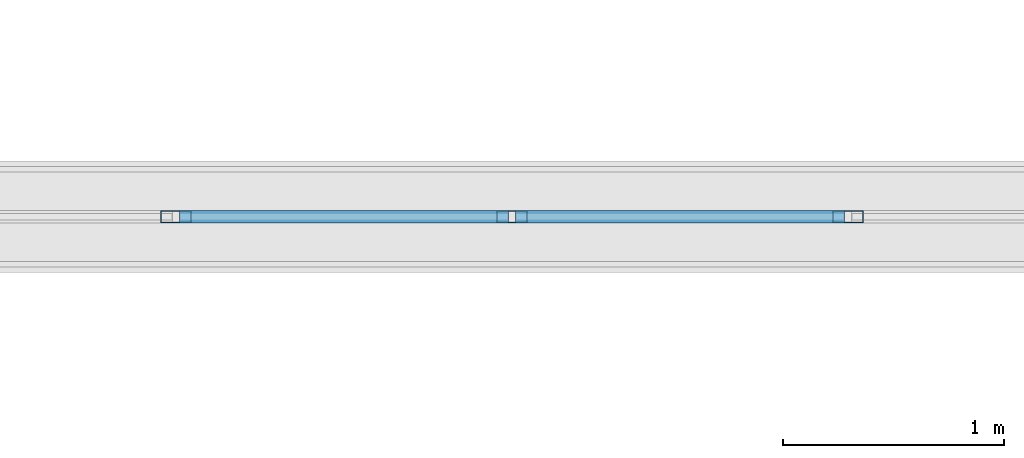
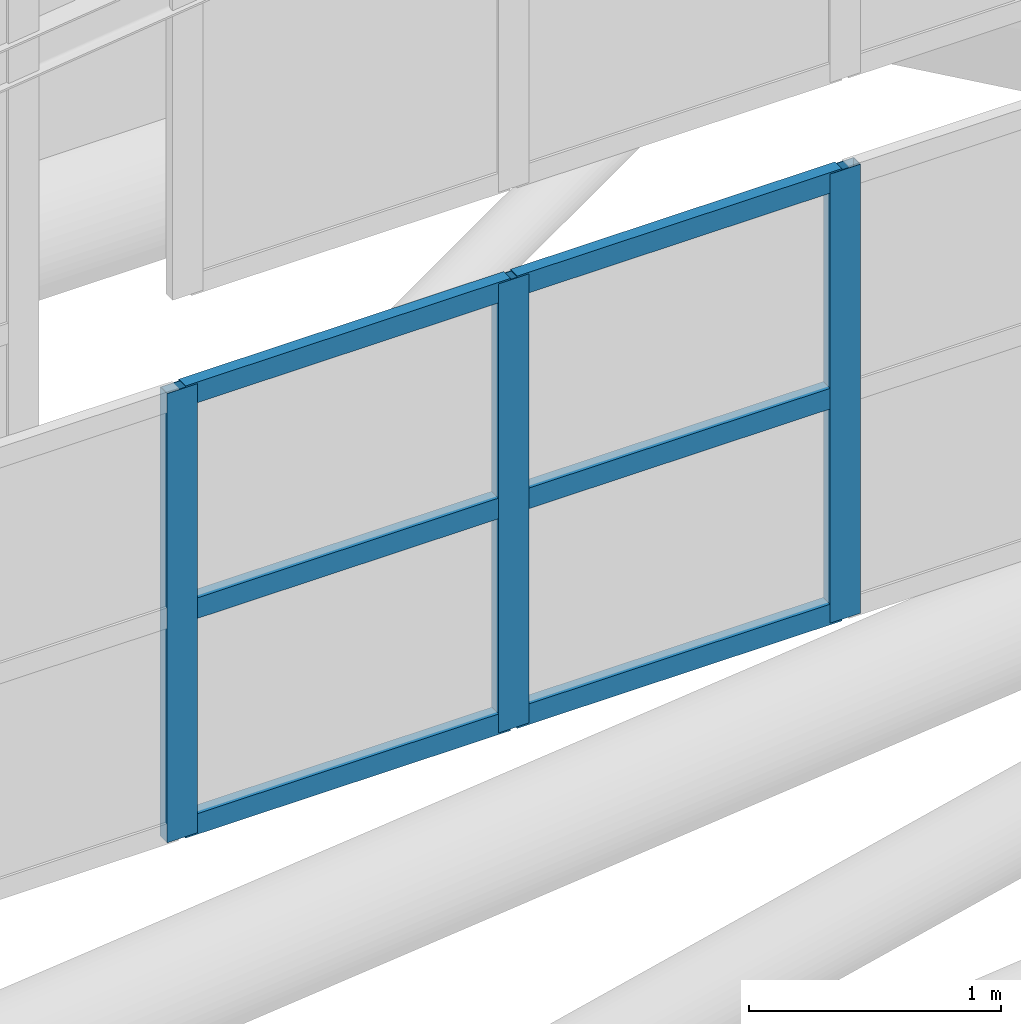
# One storey, part 233 of 397: 9 members, 1 element without a shape of its own.
"""IFC4 building model written with IfcOpenShell, lengths in metres."""

import ifcopenshell
import ifcopenshell.guid

model = None  # the IFC model being written
_history = None  # IfcOwnerHistory: only IFC2X3 demands one
_inside = {}  # id of a spatial element -> (the spatial element, [elements in it])
_under = {}  # id of a project, library or spatial element -> (it, [spatial elements below it])
_declared = {}  # id of a project -> (the project, [libraries it declares])
_typed = {}  # id of a type object -> (the type object, [elements of that type])
_made_of = {}  # id of a material, layer set ... -> (it, [elements and type objects made of it])


def new_model(schema):
    """Start an empty IFC model of exactly this schema.

    Asked for "IFC4X3", IfcOpenShell would pick the latest addendum, in which some entities
    have other attributes; the version numbers below select the first issue.
    IFC2X3 requires an IfcOwnerHistory on every rooted entity: one is made here for all.
    """
    global model, _history
    if schema == "IFC4X3":
        model = ifcopenshell.file(schema_version=(4, 3, 0, 0))
    else:
        model = ifcopenshell.file(schema=schema)
    _inside.clear()
    _under.clear()
    _declared.clear()
    _typed.clear()
    _made_of.clear()
    _history = None
    if model.schema == "IFC2X3":
        org = make("IfcOrganization", Name="unknown")
        user = make(
            "IfcPersonAndOrganization",
            ThePerson=make("IfcPerson", FamilyName="unknown"),
            TheOrganization=org,
        )
        app = make(
            "IfcApplication",
            ApplicationDeveloper=org,
            Version="unknown",
            ApplicationFullName="unknown",
            ApplicationIdentifier="unknown",
        )
        _history = make(
            "IfcOwnerHistory",
            OwningUser=user,
            OwningApplication=app,
            ChangeAction="ADDED",
            CreationDate=0,
        )
    return model


def make(cls, **values):
    """One entity of the class cls with the attributes given. An attribute that is None is left unset."""
    return model.create_entity(
        cls, **{name: value for name, value in values.items() if value is not None}
    )


def rooted(cls, **values):
    """An entity with a GlobalId (a new one), such as an element, a storey or a relation."""
    return make(cls, GlobalId=ifcopenshell.guid.new(), OwnerHistory=_history, **values)


def si_unit(unit_type, name, prefix=None):
    """IfcSIUnit, for example si_unit("LENGTHUNIT", "METRE", prefix="MILLI")."""
    return make("IfcSIUnit", UnitType=unit_type, Prefix=prefix, Name=name)


def assignment(units):
    """IfcUnitAssignment: the units of a project."""
    return None if units is None else make("IfcUnitAssignment", Units=units)


def point(xyz):
    """IfcCartesianPoint."""
    return None if xyz is None else make("IfcCartesianPoint", Coordinates=xyz)


def direction(xyz):
    """IfcDirection."""
    return None if xyz is None else make("IfcDirection", DirectionRatios=xyz)


def frame(location, z_axis=None, x_axis=None):
    """IfcAxis2Placement3D, a coordinate frame: its origin and axes. An axis left out is left unset."""
    return make(
        "IfcAxis2Placement3D",
        Location=point(location),
        Axis=direction(z_axis),
        RefDirection=direction(x_axis),
    )


def frame_2d(location, x_axis=None):
    """IfcAxis2Placement2D, a coordinate frame in the plane: its origin and x axis."""
    return make(
        "IfcAxis2Placement2D", Location=point(location), RefDirection=direction(x_axis)
    )


def origin():
    """The frame at (0, 0, 0) with its axes left unset."""
    return frame((0.0, 0.0, 0.0))


def origin_2d():
    """The frame at (0, 0) in the plane with its x axis left unset."""
    return frame_2d((0.0, 0.0))


def place(relative_to, where):
    """IfcLocalPlacement: puts the frame where relative to a parent placement (None: the world)."""
    return make(
        "IfcLocalPlacement", PlacementRelTo=relative_to, RelativePlacement=where
    )


def context(
    kind, dimensions, precision=None, world=None, true_north=None, identifier=None
):
    """IfcGeometricRepresentationContext, for example the 3D "Model" context."""
    return make(
        "IfcGeometricRepresentationContext",
        ContextIdentifier=identifier,
        ContextType=kind,
        CoordinateSpaceDimension=dimensions,
        Precision=precision,
        WorldCoordinateSystem=world,
        TrueNorth=true_north,
    )


def subcontext(parent, identifier, kind, view, scale=None):
    """IfcGeometricRepresentationSubContext, for example "Body" below "Model"."""
    return make(
        "IfcGeometricRepresentationSubContext",
        ContextIdentifier=identifier,
        ContextType=kind,
        ParentContext=parent,
        TargetScale=scale,
        TargetView=view,
    )


def project(units=None, contexts=None):
    """IfcProject with its units and contexts."""
    return rooted(
        "IfcProject",
        Name="project",
        RepresentationContexts=contexts,
        UnitsInContext=assignment(units),
    )


def spatial(cls, under=None, at=None, **own):
    """A site, building, storey or space (cls), placed at a placement, below another one or the project."""
    s = rooted(cls, ObjectPlacement=at, **own)
    if under is not None:
        _under.setdefault(under.id(), (under, []))[1].append(s)
    return s


def profile(cls, at=None, kind="AREA", **sizes):
    """A parametric profile (cls). Its sizes go by their IFC names, for example OverallWidth=200.0."""
    return make(cls, ProfileType=kind, Position=at, **sizes)


def hollow_rectangle(**sizes):
    """IfcRectangleHollowProfileDef."""
    return profile("IfcRectangleHollowProfileDef", **sizes)


def extrude(swept, where, along, depth):
    """IfcExtrudedAreaSolid: the profile swept, set in the frame where, extruded along a direction by depth."""
    return make(
        "IfcExtrudedAreaSolid",
        SweptArea=swept,
        Position=where,
        ExtrudedDirection=direction(along),
        Depth=depth,
    )


def shape(context_of_items, identifier, shape_type, items):
    """IfcShapeRepresentation: the items that make up one representation, for example the "Body"."""
    return make(
        "IfcShapeRepresentation",
        ContextOfItems=context_of_items,
        RepresentationIdentifier=identifier,
        RepresentationType=shape_type,
        Items=items,
    )


def material(Name=None, Category=None):
    """IfcMaterial."""
    return make("IfcMaterial", Name=Name, Category=Category)


def material_profile(
    of_material, cross_section, Name=None, Category=None, Priority=None
):
    """IfcMaterialProfile: a cross section and its material."""
    return make(
        "IfcMaterialProfile",
        Name=Name,
        Material=of_material,
        Profile=cross_section,
        Priority=Priority,
        Category=Category,
    )


def profile_set(profiles, Name=None, composite=None):
    """IfcMaterialProfileSet."""
    return make(
        "IfcMaterialProfileSet",
        Name=Name,
        MaterialProfiles=profiles,
        CompositeProfile=composite,
    )


def made_of(thing, what):
    """Note that an element or type object is made of a material, layer set ...; save() writes the relation."""
    if what is not None:
        _made_of.setdefault(what.id(), (what, []))[1].append(thing)
    return thing


def type_object(cls, material=None, **own):
    """A type object (cls), such as IfcWallType, which elements share."""
    return made_of(rooted(cls, **own), material)


def element(
    cls,
    number,
    at=None,
    inside=None,
    cuts=None,
    type_object=None,
    material=None,
    context=None,
    identifier="Body",
    shape_type=None,
    held_by="IfcProductDefinitionShape",
    body=None,
    shapes=None,
    **own,
):
    """One element of the class cls, such as IfcWall. Its Tag is "e" and its number.

    at: its placement. inside: the storey or other place that contains it. cuts: it is an
    opening in that element (IfcRelVoidsElement). A single representation is given by context,
    identifier, shape_type and body (its items); several are given by shapes. held_by: the class
    of the entity that holds the representations. save() writes the other relations.
    """
    e = rooted(cls, Tag="e%d" % number, ObjectPlacement=at, **own)
    if body is not None:
        shapes = [shape(context, identifier, shape_type, body)]
    if shapes is not None:
        e.Representation = make(held_by, Representations=shapes)
    if inside is not None:
        _inside.setdefault(inside.id(), (inside, []))[1].append(e)
    if cuts is not None:
        rooted(
            "IfcRelVoidsElement", RelatingBuildingElement=cuts, RelatedOpeningElement=e
        )
    if type_object is not None:
        _typed.setdefault(type_object.id(), (type_object, []))[1].append(e)
    return made_of(e, material)


def aggregate(whole, parts):
    """IfcRelAggregates: a whole, such as a stair, and the parts it consists of."""
    return rooted("IfcRelAggregates", RelatingObject=whole, RelatedObjects=parts)


def save(model, path):
    """Write the relations noted so far, then the file.

    IfcRelAggregates (storeys below a building ...), IfcRelContainedInSpatialStructure (elements
    in a storey), IfcRelDefinesByType, IfcRelAssociatesMaterial and IfcRelDeclares: one each for
    every whole, place, type object, material and project.
    """
    for whole, parts in _under.values():
        aggregate(whole, parts)
    for where, things in _inside.values():
        rooted(
            "IfcRelContainedInSpatialStructure",
            RelatedElements=things,
            RelatingStructure=where,
        )
    for kind, things in _typed.values():
        rooted("IfcRelDefinesByType", RelatedObjects=things, RelatingType=kind)
    for what, things in _made_of.values():
        rooted("IfcRelAssociatesMaterial", RelatedObjects=things, RelatingMaterial=what)
    for by, libraries in _declared.values():
        rooted("IfcRelDeclares", RelatingContext=by, RelatedDefinitions=libraries)
    model.write(path)


model = new_model("IFC4")

# Units and contexts
model_context = context("Model", 3, precision=1e-05, world=origin(), true_north=direction((0.0, 1.0)))
body_context = subcontext(model_context, "Body", "Model", "MODEL_VIEW")
ifc_project = project(units=[si_unit("LENGTHUNIT", "METRE"), si_unit("AREAUNIT", "SQUARE_METRE"), si_unit("VOLUMEUNIT", "CUBIC_METRE"), si_unit("PLANEANGLEUNIT", "RADIAN"), si_unit("MASSUNIT", "GRAM", prefix="KILO")], contexts=[model_context])

# Site, building, storey
site_placement = place(None, origin())
site = spatial("IfcSite", under=ifc_project, at=site_placement, CompositionType="ELEMENT")
building_placement = place(site_placement, origin())
building = spatial("IfcBuilding", under=site, at=building_placement, Name="Qandorah Velis Arena", CompositionType="ELEMENT")
storey_placement = place(building_placement, frame((0.0, 0.0, 27.5)))
storey = spatial("IfcBuildingStorey", under=building, at=storey_placement, Name="RF", CompositionType="ELEMENT", Elevation=27.5)

# Curtain wall, members
ifc_material_1 = material(Name="Solar-control low-E double glazing", Category="glass")
curtain_wall_type = type_object("IfcCurtainWallType", Name="ARC-CW-SYS21", PredefinedType="USERDEFINED", material=ifc_material_1)
curtain_wall_placement = place(storey_placement, origin())
curtain_wall = element("IfcCurtainWall", 1, at=curtain_wall_placement, inside=storey, type_object=curtain_wall_type, Name="Unitised curtain wall OCULUS-4-1", ObjectType="UNITISED CURTAIN WALL", PredefinedType="USERDEFINED")
ifc_material_2 = material(Name="Champagne-bronze anodized aluminium 6063-T6", Category="aluminium")
ifc_material_profile_1 = material_profile(ifc_material_2, hollow_rectangle(XDim=0.054931640625, YDim=0.139892578125, WallThickness=0.0029296875, at=origin_2d()), Name="ALU MULLION 55x140")
ifc_profile_set_1 = profile_set([ifc_material_profile_1], Name="Champagne-bronze anodized aluminium 6063-T6")
member_type_1 = type_object("IfcMemberType", Name="ARC-CWM-140", PredefinedType="MULLION", material=ifc_profile_set_1)
member_1_placement = place(storey_placement, frame((32.1943359375, 100.800048828125, 8.53515625), z_axis=(0.0, 0.0, 1.0), x_axis=(0.0, 1.0, 0.0)))
member_1 = element("IfcMember", 2, at=member_1_placement, type_object=member_type_1, Name="CW21 mullion 3", PredefinedType="MULLION", context=body_context, shape_type="SweptSolid", body=[
    extrude(hollow_rectangle(XDim=0.054931640625, YDim=0.139892578125, WallThickness=0.0029296875, at=origin_2d()), origin(), (0.0, 0.0, 1.0), 2.179931640625),
])
member_2_placement = place(storey_placement, frame((33.716552734375, 100.800048828125, 8.53515625), z_axis=(0.0, 0.0, 1.0), x_axis=(0.0, 1.0, 0.0)))
member_2 = element("IfcMember", 3, at=member_2_placement, type_object=member_type_1, Name="CW21 mullion 4", PredefinedType="MULLION", context=body_context, shape_type="SweptSolid", body=[
    extrude(hollow_rectangle(XDim=0.054931640625, YDim=0.139892578125, WallThickness=0.0029296875, at=origin_2d()), origin(), (0.0, 0.0, 1.0), 2.179931640625),
])
member_3_placement = place(storey_placement, frame((35.23876953125, 100.800048828125, 8.53515625), z_axis=(0.0, 0.0, 1.0), x_axis=(0.0, 1.0, 0.0)))
member_3 = element("IfcMember", 4, at=member_3_placement, type_object=member_type_1, Name="CW21 mullion 5", PredefinedType="MULLION", context=body_context, shape_type="SweptSolid", body=[
    extrude(hollow_rectangle(XDim=0.054931640625, YDim=0.139892578125, WallThickness=0.0029296875, at=origin_2d()), origin(), (0.0, 0.0, 1.0), 2.179931640625),
])
ifc_material_profile_2 = material_profile(ifc_material_2, hollow_rectangle(XDim=0.054931640625, YDim=0.10009765625, WallThickness=0.0029296875, at=origin_2d()), Name="ALU TRANSOM 55x100")
ifc_profile_set_2 = profile_set([ifc_material_profile_2], Name="Champagne-bronze anodized aluminium 6063-T6")
member_type_2 = type_object("IfcMemberType", Name="ARC-CWT-100", PredefinedType="USERDEFINED", material=ifc_profile_set_2)
member_4_placement = place(storey_placement, frame((32.2099609375, 100.800048828125, 8.57763671875), z_axis=(1.0, 0.0, 0.0), x_axis=(0.0, 1.0, 0.0)))
member_4 = element("IfcMember", 5, at=member_4_placement, type_object=member_type_2, Name="CW21 transom 3.1", ObjectType="TRANSOM", PredefinedType="USERDEFINED", context=body_context, shape_type="SweptSolid", body=[
    extrude(hollow_rectangle(XDim=0.054931640625, YDim=0.10009765625, WallThickness=0.0029296875, at=origin_2d()), origin(), (0.0, 0.0, 1.0), 1.4912109375),
])
member_5_placement = place(storey_placement, frame((32.2099609375, 100.800048828125, 9.625244140625), z_axis=(1.0, 0.0, 0.0), x_axis=(0.0, 1.0, 0.0)))
member_5 = element("IfcMember", 6, at=member_5_placement, type_object=member_type_2, Name="CW21 transom 3.2", ObjectType="TRANSOM", PredefinedType="USERDEFINED", context=body_context, shape_type="SweptSolid", body=[
    extrude(hollow_rectangle(XDim=0.054931640625, YDim=0.10009765625, WallThickness=0.0029296875, at=origin_2d()), origin(), (0.0, 0.0, 1.0), 1.4912109375),
])
member_6_placement = place(storey_placement, frame((32.2099609375, 100.800048828125, 10.672607421875), z_axis=(1.0, 0.0, 0.0), x_axis=(0.0, 1.0, 0.0)))
member_6 = element("IfcMember", 7, at=member_6_placement, type_object=member_type_2, Name="CW21 transom 3.3", ObjectType="TRANSOM", PredefinedType="USERDEFINED", context=body_context, shape_type="SweptSolid", body=[
    extrude(hollow_rectangle(XDim=0.054931640625, YDim=0.10009765625, WallThickness=0.0029296875, at=origin_2d()), origin(), (0.0, 0.0, 1.0), 1.4912109375),
])
member_7_placement = place(storey_placement, frame((33.732177734375, 100.800048828125, 8.57763671875), z_axis=(1.0, 0.0, 0.0), x_axis=(0.0, 1.0, 0.0)))
member_7 = element("IfcMember", 8, at=member_7_placement, type_object=member_type_2, Name="CW21 transom 4.1", ObjectType="TRANSOM", PredefinedType="USERDEFINED", context=body_context, shape_type="SweptSolid", body=[
    extrude(hollow_rectangle(XDim=0.054931640625, YDim=0.10009765625, WallThickness=0.0029296875, at=origin_2d()), origin(), (0.0, 0.0, 1.0), 1.4912109375),
])
member_8_placement = place(storey_placement, frame((33.732177734375, 100.800048828125, 9.625244140625), z_axis=(1.0, 0.0, 0.0), x_axis=(0.0, 1.0, 0.0)))
member_8 = element("IfcMember", 9, at=member_8_placement, type_object=member_type_2, Name="CW21 transom 4.2", ObjectType="TRANSOM", PredefinedType="USERDEFINED", context=body_context, shape_type="SweptSolid", body=[
    extrude(hollow_rectangle(XDim=0.054931640625, YDim=0.10009765625, WallThickness=0.0029296875, at=origin_2d()), origin(), (0.0, 0.0, 1.0), 1.4912109375),
])
member_9_placement = place(storey_placement, frame((33.732177734375, 100.800048828125, 10.672607421875), z_axis=(1.0, 0.0, 0.0), x_axis=(0.0, 1.0, 0.0)))
member_9 = element("IfcMember", 10, at=member_9_placement, type_object=member_type_2, Name="CW21 transom 4.3", ObjectType="TRANSOM", PredefinedType="USERDEFINED", context=body_context, shape_type="SweptSolid", body=[
    extrude(hollow_rectangle(XDim=0.054931640625, YDim=0.10009765625, WallThickness=0.0029296875, at=origin_2d()), origin(), (0.0, 0.0, 1.0), 1.4912109375),
])
aggregate(curtain_wall, [member_1, member_2, member_3, member_4, member_5, member_6, member_7, member_8, member_9])

save(model, "model.ifc")
